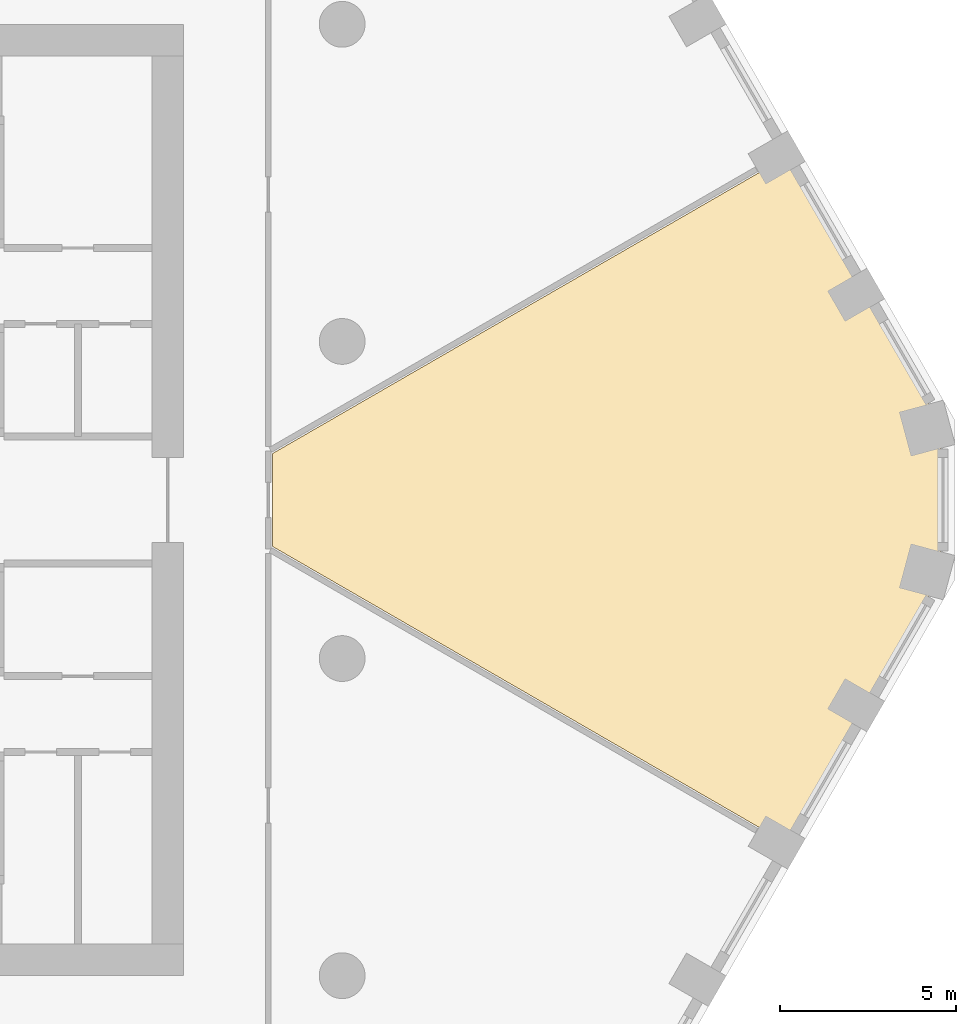
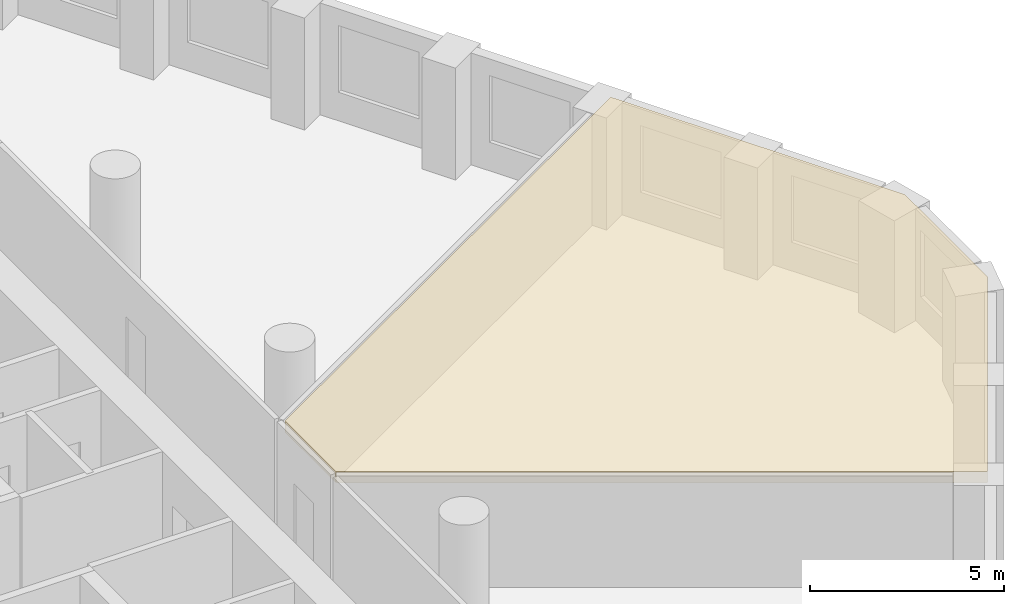
# One storey, part 14 of 14: 1 covering.
"""IFC4 building model written with IfcOpenShell, lengths in metres."""

from ifc_helpers import new_model, si_unit, direction, frame, origin, place, context, subcontext, project, spatial, polyline, outline, extrude, material, layer, layer_set, type_object, element, save


model = new_model("IFC4")

# Units and contexts
model_context = context("Model", 3, precision=1e-05, world=origin(), true_north=direction((0.0, 1.0)))
body_context = subcontext(model_context, "Body", "Model", "MODEL_VIEW")
ifc_project = project(units=[si_unit("LENGTHUNIT", "METRE"), si_unit("AREAUNIT", "SQUARE_METRE"), si_unit("VOLUMEUNIT", "CUBIC_METRE"), si_unit("PLANEANGLEUNIT", "RADIAN"), si_unit("MASSUNIT", "GRAM", prefix="KILO")], contexts=[model_context])

# Site, building, storey
site_placement = place(None, origin())
site = spatial("IfcSite", under=ifc_project, at=site_placement, CompositionType="ELEMENT")
building_placement = place(site_placement, origin())
building = spatial("IfcBuilding", under=site, at=building_placement, Name="Dhurran Vertical Campus", CompositionType="ELEMENT")
storey_placement = place(building_placement, frame((0.0, 0.0, 93.0)))
storey = spatial("IfcBuildingStorey", under=building, at=storey_placement, Name="L22", CompositionType="ELEMENT", Elevation=93.0)

# Covering
ifc_material = material(Name="Mineral fibre ceiling tiles on suspended grid")
ifc_layer = layer(ifc_material, 0.35009765625)
ifc_layer_set = layer_set([ifc_layer], Name="Mineral fibre ceiling tiles on suspended grid")
covering_type = type_object("IfcCoveringType", Name="fl-CE-350 suspended ceiling", PredefinedType="CEILING", material=ifc_layer_set)
covering_placement = place(storey_placement, frame((0.0, 0.0, 3.175048828125)))
element("IfcCovering", 1, at=covering_placement, inside=storey, type_object=covering_type, Name="Ceiling 22-19", PredefinedType="CEILING", context=body_context, shape_type="SweptSolid", body=[
    extrude(outline(polyline([(20.52001953125, -1.31689453125), (20.52001953125, 1.31689453125), (35.093017578125, 9.72998046875), (39.47705078125, 2.137939453125), (39.47705078125, -2.137939453125), (35.093017578125, -9.72998046875), (20.52001953125, -1.31689453125)])), origin(), (0.0, 0.0, 1.0), 0.349853515625),
])

save(model, "model.ifc")
